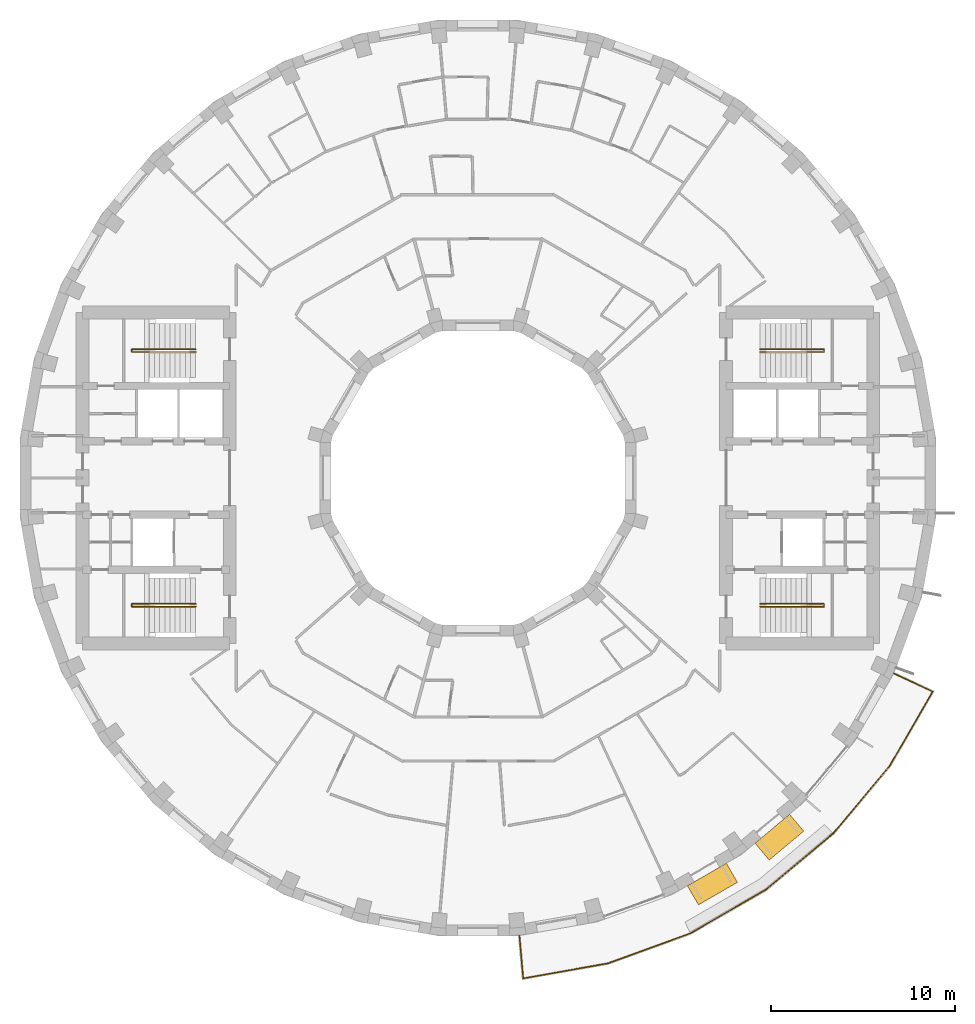
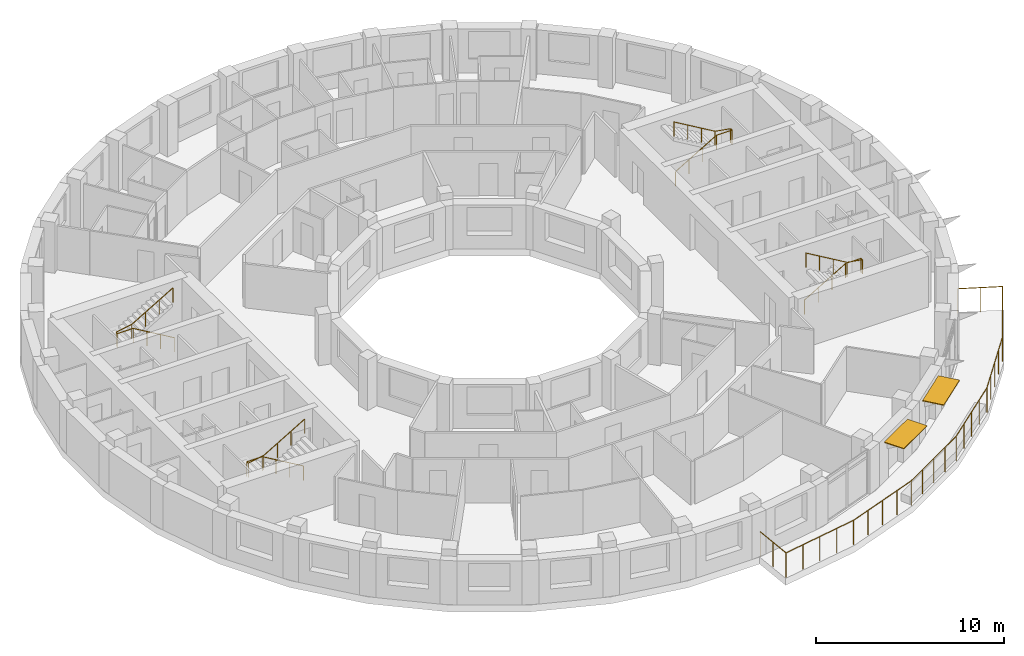
# One storey, part 15 of 15: 5 railings, 2 shading devices.
"""IFC4 building model written with IfcOpenShell, lengths in metres."""

from ifc_helpers import new_model, si_unit, direction, frame, origin, origin_2d, place, context, subcontext, project, spatial, rectangle, circle, extrude, material, layer, layer_set, type_object, element, save


model = new_model("IFC4")

# Units and contexts
model_context = context("Model", 3, precision=1e-05, world=origin(), true_north=direction((0.0, 1.0)))
body_context = subcontext(model_context, "Body", "Model", "MODEL_VIEW")
ifc_project = project(units=[si_unit("LENGTHUNIT", "METRE"), si_unit("AREAUNIT", "SQUARE_METRE"), si_unit("VOLUMEUNIT", "CUBIC_METRE"), si_unit("PLANEANGLEUNIT", "RADIAN"), si_unit("MASSUNIT", "GRAM", prefix="KILO")], contexts=[model_context])

# Site, building, storey
site_placement = place(None, origin())
site = spatial("IfcSite", under=ifc_project, at=site_placement, CompositionType="ELEMENT")
building_placement = place(site_placement, origin())
building = spatial("IfcBuilding", under=site, at=building_placement, Name="Saqina Gate Tower", CompositionType="ELEMENT")
storey_placement = place(building_placement, frame((0.0, 0.0, 167.39990234375)))
storey = spatial("IfcBuildingStorey", under=building, at=storey_placement, Name="L47", CompositionType="ELEMENT", Elevation=167.39990234375)

# Shading devices
ifc_material_1 = material(Name="Aluminium and fabric awning", Category="aluminium")
ifc_layer = layer(ifc_material_1, 0.050048828125)
ifc_layer_set = layer_set([ifc_layer], Name="AW-TERRACE")
shading_device_type = type_object("IfcShadingDeviceType", Name="AW-TERRACE", PredefinedType="AWNING", material=ifc_layer_set)
for number, where, z_axis, x_axis, name in (
    (1, (12.75244140625, -22.087890625, 2.52490234375), (0.0, 0.0, 1.0), (0.866025403784, 0.5, 0.0), "Terrace awning L47 facet 30"),
    (2, (16.394287109375, -19.537841796875, 2.52490234375), (0.0, 0.0, 1.0), (0.766044443119, 0.642787609687, 0.0), "Terrace awning L47 facet 31"),
):
    element("IfcShadingDevice", number, at=place(storey_placement, frame(where, z_axis=z_axis, x_axis=x_axis)), inside=storey, type_object=shading_device_type, Name=name, PredefinedType="AWNING", context=body_context, shape_type="SweptSolid", body=[
        extrude(rectangle(XDim=2.44970703125, YDim=1.199951171875, at=origin_2d()), origin(), (0.0, 0.0, 1.0), 0.050048828125),
    ])

# Railings
ifc_material_2 = material(Name="Stainless steel", Category="steel")
railing_type_1 = type_object("IfcRailingType", Name="RL-TERRACE", PredefinedType="GUARDRAIL", material=ifc_material_2)
railing_1_placement = place(storey_placement, frame((2.25341796875, -24.838134765625, 0.0)))
element("IfcRailing", 3, at=railing_1_placement, inside=storey, type_object=railing_type_1, Name="Terrace guard L47", PredefinedType="GUARDRAIL", context=body_context, shape_type="SweptSolid", body=[
    extrude(circle(Radius=0.02392578125, at=origin_2d()), frame((0.0, 0.0, 1.576171875), z_axis=(0.087172021187, -0.996193273779, 0.0), x_axis=(0.996193273779, 0.087172021187, 0.0)), (0.0, 0.0, 1.0), 2.388916015625),
    extrude(circle(Radius=0.02392578125, at=origin_2d()), frame((0.208251953125, -2.3798828125, 1.576171875), z_axis=(0.984544937317, 0.175132139837, 0.0), x_axis=(-0.175132139837, 0.984544937317, 0.0)), (0.0, 0.0, 1.0), 4.68408203125),
    extrude(circle(Radius=0.02392578125, at=origin_2d()), frame((4.81982421875, -1.5595703125, 1.576171875), z_axis=(0.939688638318, 0.342031084868, 0.0), x_axis=(-0.342031084868, 0.939688638318, 0.0)), (0.0, 0.0, 1.0), 4.763916015625),
    extrude(circle(Radius=0.02392578125, at=origin_2d()), frame((9.29638671875, 0.06982421875, 1.576171875), z_axis=(0.866026842905, 0.499997507361, 0.0), x_axis=(-0.499997507361, 0.866026842905, 0.0)), (0.0, 0.0, 1.0), 4.763671875),
    extrude(circle(Radius=0.02392578125, at=origin_2d()), frame((13.421875, 2.45166015625, 1.576171875), z_axis=(0.766045003037, 0.642786942402, 0.0), x_axis=(-0.642786942402, 0.766045003037, 0.0)), (0.0, 0.0, 1.0), 4.763671875),
    extrude(circle(Radius=0.02392578125, at=origin_2d()), frame((17.071044921875, 5.513671875, 1.576171875), z_axis=(0.642786942402, 0.766045003037, 0.0), x_axis=(-0.766045003037, 0.642786942402, 0.0)), (0.0, 0.0, 1.0), 4.763671875),
    extrude(circle(Radius=0.02392578125, at=origin_2d()), frame((20.133056640625, 9.162841796875, 1.576171875), z_axis=(0.501305396981, 0.865270419555, 0.0), x_axis=(-0.865270419555, 0.501305396981, 0.0)), (0.0, 0.0, 1.0), 4.68408203125),
    extrude(circle(Radius=0.02392578125, at=origin_2d()), frame((22.481201171875, 13.2158203125, 1.576171875), z_axis=(-0.906277108403, 0.422684046048, 0.0), x_axis=(-0.422684046048, -0.906277108403, 0.0)), (0.0, 0.0, 1.0), 2.388916015625),
    extrude(circle(Radius=0.02099609375, at=origin_2d()), origin(), (0.0, 0.0, 1.0), 1.552001953125),
    extrude(circle(Radius=0.02099609375, at=origin_2d()), frame((0.10400390625, -1.18994140625, 0.0)), (0.0, 0.0, 1.0), 1.552001953125),
    extrude(circle(Radius=0.02099609375, at=origin_2d()), frame((0.208251953125, -2.3798828125, 0.0)), (0.0, 0.0, 1.0), 1.552001953125),
    extrude(circle(Radius=0.02099609375, at=origin_2d()), frame((1.361083984375, -2.1748046875, 0.0)), (0.0, 0.0, 1.0), 1.552001953125),
    extrude(circle(Radius=0.02099609375, at=origin_2d()), frame((2.51416015625, -1.9697265625, 0.0)), (0.0, 0.0, 1.0), 1.552001953125),
    extrude(circle(Radius=0.02099609375, at=origin_2d()), frame((3.6669921875, -1.7646484375, 0.0)), (0.0, 0.0, 1.0), 1.552001953125),
    extrude(circle(Radius=0.02099609375, at=origin_2d()), frame((4.81982421875, -1.5595703125, 0.0)), (0.0, 0.0, 1.0), 1.552001953125),
    extrude(circle(Radius=0.02099609375, at=origin_2d()), frame((5.93896484375, -1.15234375, 0.0)), (0.0, 0.0, 1.0), 1.552001953125),
    extrude(circle(Radius=0.02099609375, at=origin_2d()), frame((7.05810546875, -0.744873046875, 0.0)), (0.0, 0.0, 1.0), 1.552001953125),
    extrude(circle(Radius=0.02099609375, at=origin_2d()), frame((8.17724609375, -0.33740234375, 0.0)), (0.0, 0.0, 1.0), 1.552001953125),
    extrude(circle(Radius=0.02099609375, at=origin_2d()), frame((9.29638671875, 0.06982421875, 0.0)), (0.0, 0.0, 1.0), 1.552001953125),
    extrude(circle(Radius=0.02099609375, at=origin_2d()), frame((10.32763671875, 0.665283203125, 0.0)), (0.0, 0.0, 1.0), 1.552001953125),
    extrude(circle(Radius=0.02099609375, at=origin_2d()), frame((11.359130859375, 1.2607421875, 0.0)), (0.0, 0.0, 1.0), 1.552001953125),
    extrude(circle(Radius=0.02099609375, at=origin_2d()), frame((12.390625, 1.856201171875, 0.0)), (0.0, 0.0, 1.0), 1.552001953125),
    extrude(circle(Radius=0.02099609375, at=origin_2d()), frame((13.421875, 2.45166015625, 0.0)), (0.0, 0.0, 1.0), 1.552001953125),
    extrude(circle(Radius=0.02099609375, at=origin_2d()), frame((14.334228515625, 3.21728515625, 0.0)), (0.0, 0.0, 1.0), 1.552001953125),
    extrude(circle(Radius=0.02099609375, at=origin_2d()), frame((15.24658203125, 3.982666015625, 0.0)), (0.0, 0.0, 1.0), 1.552001953125),
    extrude(circle(Radius=0.02099609375, at=origin_2d()), frame((16.15869140625, 4.748046875, 0.0)), (0.0, 0.0, 1.0), 1.552001953125),
    extrude(circle(Radius=0.02099609375, at=origin_2d()), frame((17.071044921875, 5.513671875, 0.0)), (0.0, 0.0, 1.0), 1.552001953125),
    extrude(circle(Radius=0.02099609375, at=origin_2d()), frame((17.83642578125, 6.426025390625, 0.0)), (0.0, 0.0, 1.0), 1.552001953125),
    extrude(circle(Radius=0.02099609375, at=origin_2d()), frame((18.60205078125, 7.33837890625, 0.0)), (0.0, 0.0, 1.0), 1.552001953125),
    extrude(circle(Radius=0.02099609375, at=origin_2d()), frame((19.36767578125, 8.25048828125, 0.0)), (0.0, 0.0, 1.0), 1.552001953125),
    extrude(circle(Radius=0.02099609375, at=origin_2d()), frame((20.133056640625, 9.162841796875, 0.0)), (0.0, 0.0, 1.0), 1.552001953125),
    extrude(circle(Radius=0.02099609375, at=origin_2d()), frame((20.72021484375, 10.176025390625, 0.0)), (0.0, 0.0, 1.0), 1.552001953125),
    extrude(circle(Radius=0.02099609375, at=origin_2d()), frame((21.30712890625, 11.189453125, 0.0)), (0.0, 0.0, 1.0), 1.552001953125),
    extrude(circle(Radius=0.02099609375, at=origin_2d()), frame((21.89404296875, 12.20263671875, 0.0)), (0.0, 0.0, 1.0), 1.552001953125),
    extrude(circle(Radius=0.02099609375, at=origin_2d()), frame((22.481201171875, 13.2158203125, 0.0)), (0.0, 0.0, 1.0), 1.552001953125),
    extrude(circle(Radius=0.02099609375, at=origin_2d()), frame((21.398681640625, 13.720703125, 0.0)), (0.0, 0.0, 1.0), 1.552001953125),
    extrude(circle(Radius=0.02099609375, at=origin_2d()), frame((20.316162109375, 14.2255859375, 0.0)), (0.0, 0.0, 1.0), 1.552001953125),
])
ifc_material_3 = material(Name="Stainless steel", Category="steel")
railing_type_2 = type_object("IfcRailingType", Name="STAIR HANDRAIL", PredefinedType="HANDRAIL", material=ifc_material_3)
railing_2_placement = place(storey_placement, frame((15.35009765625, 6.85009765625, 0.1650390625)))
element("IfcRailing", 4, at=railing_2_placement, inside=storey, type_object=railing_type_2, Name="EXIT STAIR 1 HANDRAIL", PredefinedType="HANDRAIL", context=body_context, shape_type="SweptSolid", body=[
    extrude(circle(Radius=0.02392578125, at=origin_2d()), frame((0.0, 0.0, 0.92578125), z_axis=(0.86152411907, 0.0, 0.507716645641), x_axis=(0.0, 1.0, 0.0)), (0.0, 0.0, 1.0), 2.925048828125),
    extrude(circle(Radius=0.02392578125, at=origin_2d()), frame((2.52001953125, 0.0, 2.4111328125), z_axis=(1.0, 0.0, 0.0), x_axis=(0.0, 1.0, 0.0)), (0.0, 0.0, 1.0), 0.949951171875),
    extrude(circle(Radius=0.02392578125, at=origin_2d()), frame((3.469970703125, 0.0, 2.4111328125), z_axis=(0.0, 1.0, 0.0), x_axis=(-1.0, 0.0, 0.0)), (0.0, 0.0, 1.0), 0.14990234375),
    extrude(circle(Radius=0.02392578125, at=origin_2d()), frame((3.469970703125, 0.14990234375, 2.4111328125), z_axis=(-0.985241474778, 0.0, 0.171170197109), x_axis=(0.0, -1.0, 0.0)), (0.0, 0.0, 1.0), 0.964111328125),
    extrude(circle(Radius=0.02392578125, at=origin_2d()), frame((2.52001953125, 0.14990234375, 2.576171875), z_axis=(-0.861560626758, 0.0, 0.507654692109), x_axis=(0.0, -1.0, 0.0)), (0.0, 0.0, 1.0), 2.925048828125),
    extrude(circle(Radius=0.02099609375, at=origin_2d()), origin(), (0.0, 0.0, 1.0), 0.90185546875),
    extrude(circle(Radius=0.02099609375, at=origin_2d()), frame((0.840087890625, 0.0, 0.4951171875)), (0.0, 0.0, 1.0), 0.90185546875),
    extrude(circle(Radius=0.02099609375, at=origin_2d()), frame((1.679931640625, 0.0, 0.989990234375)), (0.0, 0.0, 1.0), 0.90185546875),
    extrude(circle(Radius=0.02099609375, at=origin_2d()), frame((2.52001953125, 0.0, 1.485107421875)), (0.0, 0.0, 1.0), 0.90185546875),
    extrude(circle(Radius=0.02099609375, at=origin_2d()), frame((3.469970703125, 0.0, 1.485107421875)), (0.0, 0.0, 1.0), 0.90185546875),
    extrude(circle(Radius=0.02099609375, at=origin_2d()), frame((3.469970703125, 0.14990234375, 1.485107421875)), (0.0, 0.0, 1.0), 0.90185546875),
    extrude(circle(Radius=0.02099609375, at=origin_2d()), frame((2.52001953125, 0.14990234375, 1.650146484375)), (0.0, 0.0, 1.0), 0.90185546875),
    extrude(circle(Radius=0.02099609375, at=origin_2d()), frame((1.679931640625, 0.14990234375, 2.14501953125)), (0.0, 0.0, 1.0), 0.90185546875),
    extrude(circle(Radius=0.02099609375, at=origin_2d()), frame((0.840087890625, 0.14990234375, 2.64013671875)), (0.0, 0.0, 1.0), 0.90185546875),
    extrude(circle(Radius=0.02099609375, at=origin_2d()), frame((0.0, 0.14990234375, 3.135009765625)), (0.0, 0.0, 1.0), 0.90185546875),
])
railing_3_placement = place(storey_placement, frame((15.35009765625, -6.85009765625, 0.1650390625)))
element("IfcRailing", 5, at=railing_3_placement, inside=storey, type_object=railing_type_2, Name="EXIT STAIR 2 HANDRAIL", PredefinedType="HANDRAIL", context=body_context, shape_type="SweptSolid", body=[
    extrude(circle(Radius=0.02392578125, at=origin_2d()), frame((0.0, 0.0, 0.92578125), z_axis=(0.86152411907, 0.0, 0.507716645641), x_axis=(0.0, 1.0, 0.0)), (0.0, 0.0, 1.0), 2.925048828125),
    extrude(circle(Radius=0.02392578125, at=origin_2d()), frame((2.52001953125, 0.0, 2.4111328125), z_axis=(1.0, 0.0, 0.0), x_axis=(0.0, 1.0, 0.0)), (0.0, 0.0, 1.0), 0.949951171875),
    extrude(circle(Radius=0.02392578125, at=origin_2d()), frame((3.469970703125, 0.0, 2.4111328125), z_axis=(0.0, -1.0, 0.0), x_axis=(1.0, 0.0, 0.0)), (0.0, 0.0, 1.0), 0.14990234375),
    extrude(circle(Radius=0.02392578125, at=origin_2d()), frame((3.469970703125, -0.14990234375, 2.4111328125), z_axis=(-0.985241474778, 0.0, 0.171170197109), x_axis=(0.0, -1.0, 0.0)), (0.0, 0.0, 1.0), 0.964111328125),
    extrude(circle(Radius=0.02392578125, at=origin_2d()), frame((2.52001953125, -0.14990234375, 2.576171875), z_axis=(-0.861560626758, 0.0, 0.507654692109), x_axis=(0.0, -1.0, 0.0)), (0.0, 0.0, 1.0), 2.925048828125),
    extrude(circle(Radius=0.02099609375, at=origin_2d()), origin(), (0.0, 0.0, 1.0), 0.90185546875),
    extrude(circle(Radius=0.02099609375, at=origin_2d()), frame((0.840087890625, 0.0, 0.4951171875)), (0.0, 0.0, 1.0), 0.90185546875),
    extrude(circle(Radius=0.02099609375, at=origin_2d()), frame((1.679931640625, 0.0, 0.989990234375)), (0.0, 0.0, 1.0), 0.90185546875),
    extrude(circle(Radius=0.02099609375, at=origin_2d()), frame((2.52001953125, 0.0, 1.485107421875)), (0.0, 0.0, 1.0), 0.90185546875),
    extrude(circle(Radius=0.02099609375, at=origin_2d()), frame((3.469970703125, 0.0, 1.485107421875)), (0.0, 0.0, 1.0), 0.90185546875),
    extrude(circle(Radius=0.02099609375, at=origin_2d()), frame((3.469970703125, -0.14990234375, 1.485107421875)), (0.0, 0.0, 1.0), 0.90185546875),
    extrude(circle(Radius=0.02099609375, at=origin_2d()), frame((2.52001953125, -0.14990234375, 1.650146484375)), (0.0, 0.0, 1.0), 0.90185546875),
    extrude(circle(Radius=0.02099609375, at=origin_2d()), frame((1.679931640625, -0.14990234375, 2.14501953125)), (0.0, 0.0, 1.0), 0.90185546875),
    extrude(circle(Radius=0.02099609375, at=origin_2d()), frame((0.840087890625, -0.14990234375, 2.64013671875)), (0.0, 0.0, 1.0), 0.90185546875),
    extrude(circle(Radius=0.02099609375, at=origin_2d()), frame((0.0, -0.14990234375, 3.135009765625)), (0.0, 0.0, 1.0), 0.90185546875),
])
railing_4_placement = place(storey_placement, frame((-15.35009765625, 6.85009765625, 0.1650390625)))
element("IfcRailing", 6, at=railing_4_placement, inside=storey, type_object=railing_type_2, Name="EXIT STAIR 3 HANDRAIL", PredefinedType="HANDRAIL", context=body_context, shape_type="SweptSolid", body=[
    extrude(circle(Radius=0.02392578125, at=origin_2d()), frame((0.0, 0.0, 0.92578125), z_axis=(-0.86152411907, 0.0, 0.507716645641), x_axis=(0.0, -1.0, 0.0)), (0.0, 0.0, 1.0), 2.925048828125),
    extrude(circle(Radius=0.02392578125, at=origin_2d()), frame((-2.52001953125, 0.0, 2.4111328125), z_axis=(-1.0, 0.0, 0.0), x_axis=(0.0, -1.0, 0.0)), (0.0, 0.0, 1.0), 0.949951171875),
    extrude(circle(Radius=0.02392578125, at=origin_2d()), frame((-3.469970703125, 0.0, 2.4111328125), z_axis=(0.0, 1.0, 0.0), x_axis=(-1.0, 0.0, 0.0)), (0.0, 0.0, 1.0), 0.14990234375),
    extrude(circle(Radius=0.02392578125, at=origin_2d()), frame((-3.469970703125, 0.14990234375, 2.4111328125), z_axis=(0.985241474778, 0.0, 0.171170197109), x_axis=(0.0, 1.0, 0.0)), (0.0, 0.0, 1.0), 0.964111328125),
    extrude(circle(Radius=0.02392578125, at=origin_2d()), frame((-2.52001953125, 0.14990234375, 2.576171875), z_axis=(0.861560626758, 0.0, 0.507654692109), x_axis=(0.0, 1.0, 0.0)), (0.0, 0.0, 1.0), 2.925048828125),
    extrude(circle(Radius=0.02099609375, at=origin_2d()), origin(), (0.0, 0.0, 1.0), 0.90185546875),
    extrude(circle(Radius=0.02099609375, at=origin_2d()), frame((-0.840087890625, 0.0, 0.4951171875)), (0.0, 0.0, 1.0), 0.90185546875),
    extrude(circle(Radius=0.02099609375, at=origin_2d()), frame((-1.679931640625, 0.0, 0.989990234375)), (0.0, 0.0, 1.0), 0.90185546875),
    extrude(circle(Radius=0.02099609375, at=origin_2d()), frame((-2.52001953125, 0.0, 1.485107421875)), (0.0, 0.0, 1.0), 0.90185546875),
    extrude(circle(Radius=0.02099609375, at=origin_2d()), frame((-3.469970703125, 0.0, 1.485107421875)), (0.0, 0.0, 1.0), 0.90185546875),
    extrude(circle(Radius=0.02099609375, at=origin_2d()), frame((-3.469970703125, 0.14990234375, 1.485107421875)), (0.0, 0.0, 1.0), 0.90185546875),
    extrude(circle(Radius=0.02099609375, at=origin_2d()), frame((-2.52001953125, 0.14990234375, 1.650146484375)), (0.0, 0.0, 1.0), 0.90185546875),
    extrude(circle(Radius=0.02099609375, at=origin_2d()), frame((-1.679931640625, 0.14990234375, 2.14501953125)), (0.0, 0.0, 1.0), 0.90185546875),
    extrude(circle(Radius=0.02099609375, at=origin_2d()), frame((-0.840087890625, 0.14990234375, 2.64013671875)), (0.0, 0.0, 1.0), 0.90185546875),
    extrude(circle(Radius=0.02099609375, at=origin_2d()), frame((0.0, 0.14990234375, 3.135009765625)), (0.0, 0.0, 1.0), 0.90185546875),
])
railing_5_placement = place(storey_placement, frame((-15.35009765625, -6.85009765625, 0.1650390625)))
element("IfcRailing", 7, at=railing_5_placement, inside=storey, type_object=railing_type_2, Name="EXIT STAIR 4 HANDRAIL", PredefinedType="HANDRAIL", context=body_context, shape_type="SweptSolid", body=[
    extrude(circle(Radius=0.02392578125, at=origin_2d()), frame((0.0, 0.0, 0.92578125), z_axis=(-0.86152411907, 0.0, 0.507716645641), x_axis=(0.0, -1.0, 0.0)), (0.0, 0.0, 1.0), 2.925048828125),
    extrude(circle(Radius=0.02392578125, at=origin_2d()), frame((-2.52001953125, 0.0, 2.4111328125), z_axis=(-1.0, 0.0, 0.0), x_axis=(0.0, -1.0, 0.0)), (0.0, 0.0, 1.0), 0.949951171875),
    extrude(circle(Radius=0.02392578125, at=origin_2d()), frame((-3.469970703125, 0.0, 2.4111328125), z_axis=(0.0, -1.0, 0.0), x_axis=(1.0, 0.0, 0.0)), (0.0, 0.0, 1.0), 0.14990234375),
    extrude(circle(Radius=0.02392578125, at=origin_2d()), frame((-3.469970703125, -0.14990234375, 2.4111328125), z_axis=(0.985241474778, 0.0, 0.171170197109), x_axis=(0.0, 1.0, 0.0)), (0.0, 0.0, 1.0), 0.964111328125),
    extrude(circle(Radius=0.02392578125, at=origin_2d()), frame((-2.52001953125, -0.14990234375, 2.576171875), z_axis=(0.861560626758, 0.0, 0.507654692109), x_axis=(0.0, 1.0, 0.0)), (0.0, 0.0, 1.0), 2.925048828125),
    extrude(circle(Radius=0.02099609375, at=origin_2d()), origin(), (0.0, 0.0, 1.0), 0.90185546875),
    extrude(circle(Radius=0.02099609375, at=origin_2d()), frame((-0.840087890625, 0.0, 0.4951171875)), (0.0, 0.0, 1.0), 0.90185546875),
    extrude(circle(Radius=0.02099609375, at=origin_2d()), frame((-1.679931640625, 0.0, 0.989990234375)), (0.0, 0.0, 1.0), 0.90185546875),
    extrude(circle(Radius=0.02099609375, at=origin_2d()), frame((-2.52001953125, 0.0, 1.485107421875)), (0.0, 0.0, 1.0), 0.90185546875),
    extrude(circle(Radius=0.02099609375, at=origin_2d()), frame((-3.469970703125, 0.0, 1.485107421875)), (0.0, 0.0, 1.0), 0.90185546875),
    extrude(circle(Radius=0.02099609375, at=origin_2d()), frame((-3.469970703125, -0.14990234375, 1.485107421875)), (0.0, 0.0, 1.0), 0.90185546875),
    extrude(circle(Radius=0.02099609375, at=origin_2d()), frame((-2.52001953125, -0.14990234375, 1.650146484375)), (0.0, 0.0, 1.0), 0.90185546875),
    extrude(circle(Radius=0.02099609375, at=origin_2d()), frame((-1.679931640625, -0.14990234375, 2.14501953125)), (0.0, 0.0, 1.0), 0.90185546875),
    extrude(circle(Radius=0.02099609375, at=origin_2d()), frame((-0.840087890625, -0.14990234375, 2.64013671875)), (0.0, 0.0, 1.0), 0.90185546875),
    extrude(circle(Radius=0.02099609375, at=origin_2d()), frame((0.0, -0.14990234375, 3.135009765625)), (0.0, 0.0, 1.0), 0.90185546875),
])

save(model, "model.ifc")
